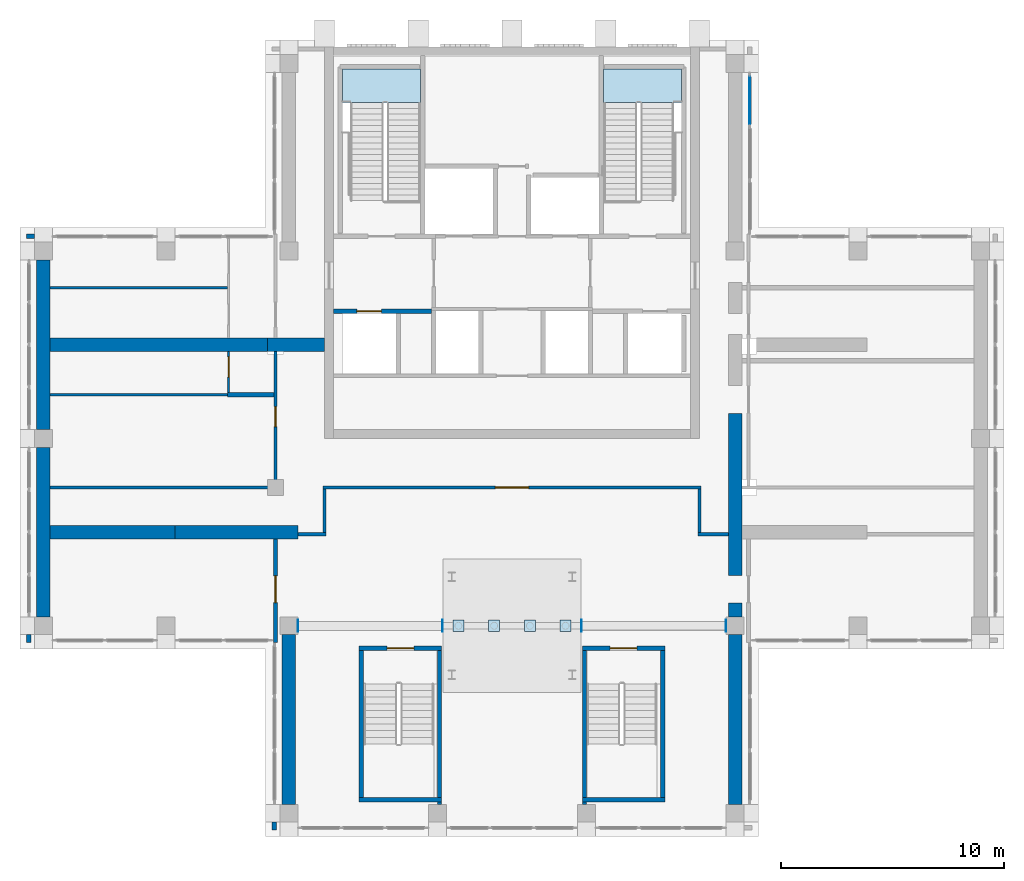
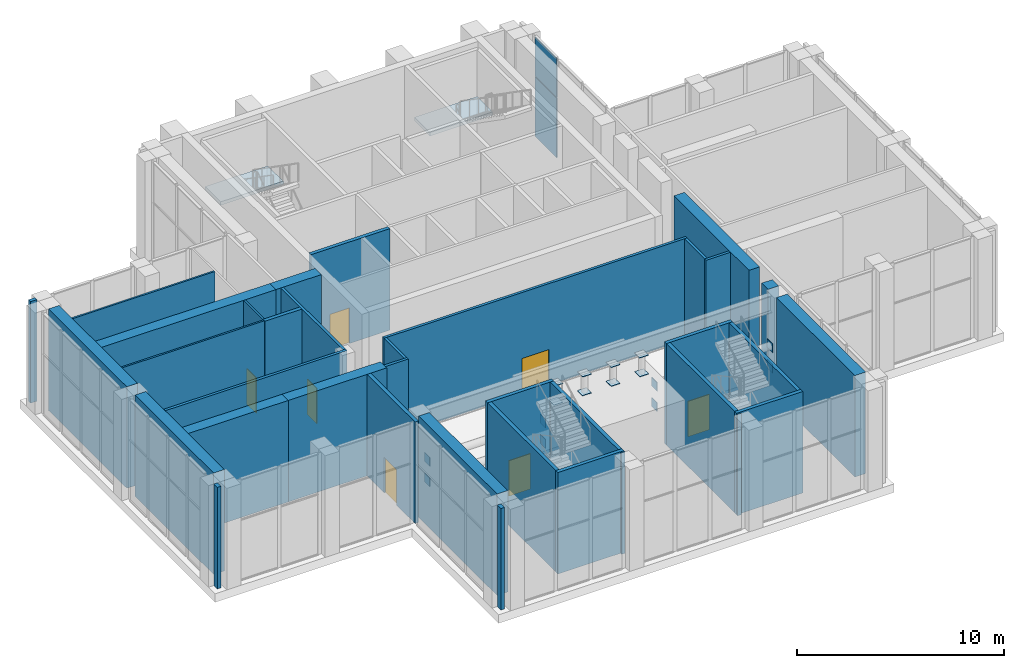
# One storey, part 9 of 14: 34 walls, 18 plates, 7 doors, 2 slabs, 7 openings, 3 elements without a shape of their own.
"""IFC4 building model written with IfcOpenShell, lengths in metres."""

from ifc_helpers import new_model, si_unit, direction, frame, frame_2d, origin, origin_2d, place, context, subcontext, project, spatial, polyline, rectangle, outline, extrude, material, layer, layer_set, type_object, element, fill, aggregate, save


model = new_model("IFC4")

# Units and contexts
model_context = context("Model", 3, precision=1e-05, world=origin(), true_north=direction((0.0, 1.0)))
body_context = subcontext(model_context, "Body", "Model", "MODEL_VIEW")
ifc_project = project(units=[si_unit("LENGTHUNIT", "METRE"), si_unit("AREAUNIT", "SQUARE_METRE"), si_unit("VOLUMEUNIT", "CUBIC_METRE"), si_unit("PLANEANGLEUNIT", "RADIAN"), si_unit("MASSUNIT", "GRAM", prefix="KILO")], contexts=[model_context])

# Site, building, storey
site_placement = place(None, origin())
site = spatial("IfcSite", under=ifc_project, at=site_placement, CompositionType="ELEMENT")
building_placement = place(site_placement, origin())
building = spatial("IfcBuilding", under=site, at=building_placement, Name="Vermilion Ogive Tower", CompositionType="ELEMENT")
storey_placement = place(building_placement, frame((0.0, 0.0, 278.35009765625)))
storey = spatial("IfcBuildingStorey", under=building, at=storey_placement, Name="L73", CompositionType="ELEMENT", Elevation=278.35009765625)

# Curtain wall, plates
ifc_material_1 = material(Name="Laminated solar-control glazing in aluminium frame", Category="aluminium")
curtain_wall_type = type_object("IfcCurtainWallType", Name="Curtain wall CW4", PredefinedType="NOTDEFINED", material=ifc_material_1)
curtain_wall_placement = place(storey_placement, origin())
curtain_wall = element("IfcCurtainWall", 1, at=curtain_wall_placement, inside=storey, type_object=curtain_wall_type, Name="CW4 glazing X41", PredefinedType="NOTDEFINED")
ifc_material_2 = material(Name="Laminated solar-control glazing in aluminium frame", Category="aluminium")
ifc_layer_1 = layer(ifc_material_2, 0.0400390625)
ifc_layer_set_1 = layer_set([ifc_layer_1], Name="CW4 glazing panel 40")
plate_type_1 = type_object("IfcPlateType", Name="CW4 glazing panel 40", PredefinedType="CURTAIN_PANEL", material=ifc_layer_set_1)
plate_1_placement = place(storey_placement, frame((10.64990234375, 19.341552734375, 0.06005859375), z_axis=(0.0, 0.0, 1.0), x_axis=(0.0, 1.0, 0.0)))
plate_1 = element("IfcPlate", 2, at=plate_1_placement, type_object=plate_type_1, Name="CW4-X41 panel 3.1", PredefinedType="CURTAIN_PANEL", context=body_context, shape_type="SweptSolid", body=[
    extrude(rectangle(XDim=2.11669921875, YDim=0.0400390625, at=origin_2d()), origin(), (0.0, 0.0, 1.0), 3.510009765625),
])
plate_2_placement = place(storey_placement, frame((10.64990234375, 19.341552734375, 3.6298828125), z_axis=(0.0, 0.0, 1.0), x_axis=(0.0, 1.0, 0.0)))
plate_2 = element("IfcPlate", 3, at=plate_2_placement, type_object=plate_type_1, Name="CW4-X41 panel 3.2", PredefinedType="CURTAIN_PANEL", context=body_context, shape_type="SweptSolid", body=[
    extrude(rectangle(XDim=2.11669921875, YDim=0.0400390625, at=origin_2d()), origin(), (0.0, 0.0, 1.0), 2.31005859375),
])
aggregate(curtain_wall, [plate_1, plate_2])

# Plates
ifc_material_3 = material(Name="Steel S355", Category="steel")
ifc_layer_2 = layer(ifc_material_3, 0.030029296875)
ifc_layer_set_2 = layer_set([ifc_layer_2], Name="Connection end plate 30")
plate_type_2 = type_object("IfcPlateType", Name="Connection end plate 30", PredefinedType="USERDEFINED", material=ifc_layer_set_2)
for number, where, z_axis, x_axis, name in (
    (4, (-3.114990234375, -4.199951171875, 1.486572265625), (0.0, 0.0, 1.0), (1.0, 0.0, 0.0), "End plate L73-TMD-D1 end 1"),
    (5, (-9.585205078125, -4.199951171875, 1.486572265625), (0.0, 0.0, 1.0), (1.0, 0.0, 0.0), "End plate L73-TMD-D1 end 2"),
    (6, (-3.114990234375, -4.199951171875, 2.686767578125), (0.0, 0.0, 1.0), (1.0, 0.0, 0.0), "End plate L73-TMD-D2 end 1"),
    (7, (-9.585205078125, -4.199951171875, 2.686767578125), (0.0, 0.0, 1.0), (1.0, 0.0, 0.0), "End plate L73-TMD-D2 end 2"),
    (8, (3.114990234375, -4.199951171875, 1.486572265625), (0.0, 0.0, 1.0), (1.0, 0.0, 0.0), "End plate L73-TMD-D3 end 1"),
    (9, (9.585205078125, -4.199951171875, 1.486572265625), (0.0, 0.0, 1.0), (1.0, 0.0, 0.0), "End plate L73-TMD-D3 end 2"),
    (10, (3.114990234375, -4.199951171875, 2.686767578125), (0.0, 0.0, 1.0), (1.0, 0.0, 0.0), "End plate L73-TMD-D4 end 1"),
    (11, (9.585205078125, -4.199951171875, 2.686767578125), (0.0, 0.0, 1.0), (1.0, 0.0, 0.0), "End plate L73-TMD-D4 end 2"),
):
    element("IfcPlate", number, at=place(storey_placement, frame(where, z_axis=z_axis, x_axis=x_axis)), inside=storey, type_object=plate_type_2, Name=name, ObjectType="END PLATE", PredefinedType="USERDEFINED", context=body_context, shape_type="SweptSolid", body=[
        extrude(rectangle(XDim=0.030029296875, YDim=0.5263671875, at=origin_2d()), origin(), (0.0, 0.0, 1.0), 0.5263671875),
    ])

# Stair, slab
ifc_material_4 = material(Name="Concrete B40", Category="concrete")
stair_type = type_object("IfcStairType", Name="Exit stair 1500", PredefinedType="HALF_TURN_STAIR", material=ifc_material_4)
stair_1_placement = place(storey_placement, origin())
stair_1 = element("IfcStair", 12, at=stair_1_placement, inside=storey, type_object=stair_type, Name="L73 Exit Stair ST1", PredefinedType="HALF_TURN_STAIR")
ifc_material_5 = material(Name="Concrete B40", Category="concrete")
ifc_layer_3 = layer(ifc_material_5, 0.199951171875)
ifc_layer_set_3 = layer_set([ifc_layer_3], Name="Stair landing 200")
slab_type = type_object("IfcSlabType", Name="Stair landing 200", PredefinedType="LANDING", material=ifc_layer_set_3)
slab_1_placement = place(storey_placement, frame((0.0, 0.0, 3.0498046875)))
slab_1 = element("IfcSlab", 13, at=slab_1_placement, type_object=slab_type, Name="ST1 landing 1", PredefinedType="LANDING", context=body_context, shape_type="SweptSolid", body=[
    extrude(outline(polyline([(-7.60009765625, 19.25), (-7.25, 19.25), (-7.25, 19.248046875), (-5.75, 19.248046875), (-5.75, 19.25), (-5.60009765625, 19.25), (-5.60009765625, 19.248046875), (-4.10009765625, 19.248046875), (-4.10009765625, 20.75), (-7.60009765625, 20.75), (-7.60009765625, 19.25)])), origin(), (0.0, 0.0, 1.0), 0.2001953125),
])
aggregate(stair_1, [slab_1])

stair_2_placement = place(storey_placement, origin())
stair_2 = element("IfcStair", 14, at=stair_2_placement, inside=storey, type_object=stair_type, Name="L73 Exit Stair ST2", PredefinedType="HALF_TURN_STAIR")
slab_2_placement = place(storey_placement, frame((0.0, 0.0, 3.0498046875)))
slab_2 = element("IfcSlab", 15, at=slab_2_placement, type_object=slab_type, Name="ST2 landing 1", PredefinedType="LANDING", context=body_context, shape_type="SweptSolid", body=[
    extrude(outline(polyline([(5.60009765625, 19.25), (5.75, 19.25), (5.75, 19.248046875), (7.25, 19.248046875), (7.25, 19.25), (7.60009765625, 19.25), (7.60009765625, 20.75), (4.10009765625, 20.75), (4.10009765625, 19.248046875), (5.60009765625, 19.248046875), (5.60009765625, 19.25)])), origin(), (0.0, 0.0, 1.0), 0.2001953125),
])
aggregate(stair_2, [slab_2])

# Plates
ifc_material_6 = material(Name="Steel S355", Category="steel")
ifc_layer_4 = layer(ifc_material_6, 0.030029296875)
ifc_layer_set_4 = layer_set([ifc_layer_4], Name="Truss gusset plate 30")
plate_type_3 = type_object("IfcPlateType", Name="Truss gusset plate 30", PredefinedType="USERDEFINED", material=ifc_layer_set_4)
for number, where, z_axis, x_axis, name in (
    (16, (-2.39990234375, -4.199951171875, 3.849609375), (0.0, 0.0, 1.0), (1.0, 0.0, 0.0), "Gusset plate L73-TMD-H1A"),
    (17, (-2.39990234375, -4.199951171875, 4.9619140625), (0.0, 0.0, 1.0), (1.0, 0.0, 0.0), "Gusset plate L73-TMD-H1B"),
    (18, (-0.800048828125, -4.199951171875, 3.849609375), (0.0, 0.0, 1.0), (1.0, 0.0, 0.0), "Gusset plate L73-TMD-H2A"),
    (19, (-0.800048828125, -4.199951171875, 4.9619140625), (0.0, 0.0, 1.0), (1.0, 0.0, 0.0), "Gusset plate L73-TMD-H2B"),
    (20, (0.800048828125, -4.199951171875, 3.849609375), (0.0, 0.0, 1.0), (1.0, 0.0, 0.0), "Gusset plate L73-TMD-H3A"),
    (21, (0.800048828125, -4.199951171875, 4.9619140625), (0.0, 0.0, 1.0), (1.0, 0.0, 0.0), "Gusset plate L73-TMD-H3B"),
    (22, (2.39990234375, -4.199951171875, 3.849609375), (0.0, 0.0, 1.0), (1.0, 0.0, 0.0), "Gusset plate L73-TMD-H4A"),
    (23, (2.39990234375, -4.199951171875, 4.9619140625), (0.0, 0.0, 1.0), (1.0, 0.0, 0.0), "Gusset plate L73-TMD-H4B"),
):
    element("IfcPlate", number, at=place(storey_placement, frame(where, z_axis=z_axis, x_axis=x_axis)), inside=storey, type_object=plate_type_3, Name=name, ObjectType="GUSSET PLATE", PredefinedType="USERDEFINED", context=body_context, shape_type="SweptSolid", body=[
        extrude(rectangle(XDim=0.5, YDim=0.5, at=origin_2d()), origin(), (0.0, 0.0, 1.0), 0.030029296875),
    ])

# Walls
ifc_material_7 = material(Name="Gypsum board partition on steel studs", Category="steel")
ifc_layer_5 = layer(ifc_material_7, 0.10009765625)
ifc_layer_set_5 = layer_set([ifc_layer_5], Name="Partition 100 bath")
wall_type_1 = type_object("IfcWallType", Name="Partition 100 bath", PredefinedType="PARTITIONING", material=ifc_layer_set_5)
wall_1_placement = place(storey_placement, frame((-20.698974609375, 6.14990234375, 0.0), z_axis=(0.0, 0.0, 1.0), x_axis=(1.0, 0.0, 0.0)))
element("IfcWall", 24, at=wall_1_placement, inside=storey, type_object=wall_type_1, Name="L73-FS-W-W006", PredefinedType="PARTITIONING", context=body_context, shape_type="SweptSolid", body=[
    extrude(rectangle(XDim=8.049072265625, YDim=0.10009765625, at=frame_2d((4.0244140625, 0.0))), origin(), (0.0, 0.0, 1.0), 6.0),
])
wall_2_placement = place(storey_placement, frame((-20.698974609375, 10.949951171875, 0.0), z_axis=(0.0, 0.0, 1.0), x_axis=(1.0, 0.0, 0.0)))
element("IfcWall", 25, at=wall_2_placement, inside=storey, type_object=wall_type_1, Name="L73-FS-W-W010", PredefinedType="PARTITIONING", context=body_context, shape_type="SweptSolid", body=[
    extrude(rectangle(XDim=7.948974609375, YDim=0.10009765625, at=frame_2d((3.974609375, 0.0))), origin(), (0.0, 0.0, 1.0), 6.0),
])

# Wall, opening, door
wall_3_placement = place(storey_placement, frame((-12.699951171875, 6.25, 0.0), z_axis=(0.0, 0.0, 1.0), x_axis=(0.0, 1.0, 0.0)))
wall_3 = element("IfcWall", 26, at=wall_3_placement, inside=storey, type_object=wall_type_1, Name="L73-FS-W-W012a", PredefinedType="PARTITIONING", context=body_context, shape_type="SweptSolid", body=[
    extrude(rectangle(XDim=1.84912109375, YDim=0.10009765625, at=frame_2d((0.924560546875, 0.0))), origin(), (0.0, 0.0, 1.0), 6.0),
])
opening_1_placement = place(wall_3_placement, frame((0.699951171875, 0.0, 0.0)))
opening_1 = element("IfcOpeningElement", 27, at=opening_1_placement, cuts=wall_3, Name="Opening L73S005", PredefinedType="OPENING", context=body_context, shape_type="SweptSolid", body=[
    extrude(rectangle(XDim=0.89990234375, YDim=2.10009765625, at=frame_2d((0.449951171875, 1.050048828125))), frame((0.0, 0.06005859375, 0.0), z_axis=(0.0, -1.0, 0.0), x_axis=(1.0, 0.0, 0.0)), (0.0, 0.0, 1.0), 0.1201171875),
])
ifc_material_8 = material(Name="Timber door leaf", Category="wood")
door_type_1 = type_object("IfcDoorType", Name="Room door 900 x 2100 FD30", OperationType="SINGLE_SWING_LEFT", PredefinedType="DOOR", material=ifc_material_8)
door_1_placement = place(opening_1_placement, origin())
door_1 = element("IfcDoor", 28, at=door_1_placement, inside=storey, type_object=door_type_1, Name="L73-FS-D-D005", OperationType="SINGLE_SWING_LEFT", OverallHeight=2.10009765625, OverallWidth=0.89990234375, PredefinedType="DOOR", context=body_context, shape_type="SweptSolid", body=[
    extrude(rectangle(XDim=0.89990234375, YDim=2.10009765625, at=frame_2d((0.449951171875, 1.050048828125))), frame((0.0, 0.02490234375, 0.0), z_axis=(0.0, -1.0, 0.0), x_axis=(1.0, 0.0, 0.0)), (0.0, 0.0, 1.0), 0.050048828125),
])
fill(opening_1, door_1)

# Walls
ifc_material_9 = material(Name="Gypsum board partition on steel studs", Category="steel")
ifc_layer_6 = layer(ifc_material_9, 0.14990234375)
ifc_layer_set_6 = layer_set([ifc_layer_6], Name="Partition 150 corridor")
wall_type_2 = type_object("IfcWallType", Name="Partition 150 corridor", PredefinedType="PARTITIONING", material=ifc_layer_set_6)
wall_4_placement = place(storey_placement, frame((-9.59912109375, -0.10009765625, 0.0), z_axis=(0.0, 0.0, 1.0), x_axis=(1.0, 0.0, 0.0)))
element("IfcWall", 29, at=wall_4_placement, inside=storey, type_object=wall_type_2, Name="L73-FS-W-W001", PredefinedType="PARTITIONING", context=body_context, shape_type="SweptSolid", body=[
    extrude(rectangle(XDim=1.274169921875, YDim=0.14990234375, at=frame_2d((0.63720703125, 0.0))), origin(), (0.0, 0.0, 1.0), 6.0),
])
wall_5_placement = place(storey_placement, frame((8.324951171875, -0.10009765625, 0.0), z_axis=(0.0, 0.0, 1.0), x_axis=(1.0, 0.0, 0.0)))
element("IfcWall", 30, at=wall_5_placement, inside=storey, type_object=wall_type_2, Name="L73-FS-W-W002a", PredefinedType="PARTITIONING", context=body_context, shape_type="SweptSolid", body=[
    extrude(rectangle(XDim=1.3740234375, YDim=0.14990234375, at=frame_2d((0.68701171875, 0.0))), origin(), (0.0, 0.0, 1.0), 6.0),
])
wall_6_placement = place(storey_placement, frame((-20.698974609375, 2.0, 0.0), z_axis=(0.0, 0.0, 1.0), x_axis=(1.0, 0.0, 0.0)))
element("IfcWall", 31, at=wall_6_placement, inside=storey, type_object=wall_type_2, Name="L73-FS-W-W003", PredefinedType="PARTITIONING", context=body_context, shape_type="SweptSolid", body=[
    extrude(rectangle(XDim=10.174072265625, YDim=0.14990234375, at=frame_2d((5.0869140625, 0.0))), origin(), (0.0, 0.0, 1.0), 6.0),
])

# Wall, opening, door
wall_7_placement = place(storey_placement, frame((-8.47509765625, 2.0, 0.0), z_axis=(0.0, 0.0, 1.0), x_axis=(1.0, 0.0, 0.0)))
wall_7 = element("IfcWall", 32, at=wall_7_placement, inside=storey, type_object=wall_type_2, Name="L73-FS-W-W004", PredefinedType="PARTITIONING", context=body_context, shape_type="SweptSolid", body=[
    extrude(rectangle(XDim=16.9501953125, YDim=0.14990234375, at=frame_2d((8.47509765625, 0.0))), origin(), (0.0, 0.0, 1.0), 6.0),
])
opening_2_placement = place(wall_7_placement, frame((7.72509765625, 0.0, 0.0)))
opening_2 = element("IfcOpeningElement", 33, at=opening_2_placement, cuts=wall_7, Name="Opening L73S001", PredefinedType="OPENING", context=body_context, shape_type="SweptSolid", body=[
    extrude(rectangle(XDim=1.5, YDim=2.10009765625, at=frame_2d((0.75, 1.050048828125))), frame((0.0, 0.0849609375, 0.0), z_axis=(0.0, -1.0, 0.0), x_axis=(1.0, 0.0, 0.0)), (0.0, 0.0, 1.0), 0.169921875),
])
ifc_material_10 = material(Name="Timber door leaf", Category="wood")
door_type_2 = type_object("IfcDoorType", Name="Room door 1500 x 2100 FD30", OperationType="DOUBLE_DOOR_SINGLE_SWING", PredefinedType="DOOR", material=ifc_material_10)
door_2_placement = place(opening_2_placement, origin())
door_2 = element("IfcDoor", 34, at=door_2_placement, inside=storey, type_object=door_type_2, Name="L73-FS-D-D001", OperationType="DOUBLE_DOOR_SINGLE_SWING", OverallHeight=2.10009765625, OverallWidth=1.5, PredefinedType="DOOR", context=body_context, shape_type="SweptSolid", body=[
    extrude(rectangle(XDim=1.5, YDim=2.10009765625, at=frame_2d((0.75, 1.050048828125))), frame((0.0, 0.02490234375, 0.0), z_axis=(0.0, -1.0, 0.0), x_axis=(1.0, 0.0, 0.0)), (0.0, 0.0, 1.0), 0.050048828125),
])
fill(opening_2, door_2)

wall_8_placement = place(storey_placement, frame((-10.60009765625, 2.074951171875, 0.0), z_axis=(0.0, 0.0, 1.0), x_axis=(0.0, 1.0, 0.0)))
wall_8 = element("IfcWall", 35, at=wall_8_placement, inside=storey, type_object=wall_type_2, Name="L73-FS-W-W014a", PredefinedType="PARTITIONING", context=body_context, shape_type="SweptSolid", body=[
    extrude(rectangle(XDim=6.024169921875, YDim=0.14990234375, at=frame_2d((3.01220703125, 0.0))), origin(), (0.0, 0.0, 1.0), 6.0),
])
opening_3_placement = place(wall_8_placement, frame((2.650146484375, 0.0, 0.0)))
opening_3 = element("IfcOpeningElement", 36, at=opening_3_placement, cuts=wall_8, Name="Opening L73S008", PredefinedType="OPENING", context=body_context, shape_type="SweptSolid", body=[
    extrude(rectangle(XDim=0.89990234375, YDim=2.10009765625, at=frame_2d((0.449951171875, 1.050048828125))), frame((0.0, 0.0849609375, 0.0), z_axis=(0.0, -1.0, 0.0), x_axis=(1.0, 0.0, 0.0)), (0.0, 0.0, 1.0), 0.169921875),
])
door_3_placement = place(opening_3_placement, origin())
door_3 = element("IfcDoor", 37, at=door_3_placement, inside=storey, type_object=door_type_1, Name="L73-FS-D-D008", OperationType="SINGLE_SWING_RIGHT", OverallHeight=2.10009765625, OverallWidth=0.89990234375, PredefinedType="DOOR", context=body_context, shape_type="SweptSolid", body=[
    extrude(rectangle(XDim=0.89990234375, YDim=2.10009765625, at=frame_2d((0.449951171875, 1.050048828125))), frame((0.0, 0.02490234375, 0.0), z_axis=(0.0, -1.0, 0.0), x_axis=(1.0, 0.0, 0.0)), (0.0, 0.0, 1.0), 0.050048828125),
])
fill(opening_3, door_3)

# Walls
for number, where, z_axis, x_axis, name in (
    (38, (-8.39990234375, -0.02490234375, 0.0), (0.0, 0.0, 1.0), (0.0, 1.0, 0.0), "L73-FS-W-W015"),
    (39, (8.39990234375, -0.02490234375, 0.0), (0.0, 0.0, 1.0), (0.0, 1.0, 0.0), "L73-FS-W-W016"),
):
    element("IfcWall", number, at=place(storey_placement, frame(where, z_axis=z_axis, x_axis=x_axis)), inside=storey, type_object=wall_type_2, Name=name, PredefinedType="PARTITIONING", context=body_context, shape_type="SweptSolid", body=[
        extrude(rectangle(XDim=1.949951171875, YDim=0.14990234375, at=frame_2d((0.97509765625, 0.0))), origin(), (0.0, 0.0, 1.0), 6.0),
    ])
ifc_material_11 = material(Name="Gypsum board partition on steel studs", Category="steel")
ifc_layer_7 = layer(ifc_material_11, 0.199951171875)
ifc_layer_set_7 = layer_set([ifc_layer_7], Name="Partition 200 party")
wall_type_3 = type_object("IfcWallType", Name="Partition 200 party", PredefinedType="PARTITIONING", material=ifc_layer_set_7)
wall_9_placement = place(storey_placement, frame((-12.75, 6.14990234375, 0.0), z_axis=(0.0, 0.0, 1.0), x_axis=(1.0, 0.0, 0.0)))
element("IfcWall", 40, at=wall_9_placement, inside=storey, type_object=wall_type_3, Name="L73-FS-W-W007", PredefinedType="PARTITIONING", context=body_context, shape_type="SweptSolid", body=[
    extrude(rectangle(XDim=2.074951171875, YDim=0.199951171875, at=frame_2d((1.03759765625, 0.0))), origin(), (0.0, 0.0, 1.0), 6.0),
])

# Wall, opening, door
wall_10_placement = place(storey_placement, frame((-10.60009765625, -4.949951171875, 0.0), z_axis=(0.0, 0.0, 1.0), x_axis=(0.0, 1.0, 0.0)))
wall_10 = element("IfcWall", 41, at=wall_10_placement, inside=storey, type_object=wall_type_3, Name="L73-FS-W-W013", PredefinedType="PARTITIONING", context=body_context, shape_type="SweptSolid", body=[
    extrude(rectangle(XDim=4.64892578125, YDim=0.199951171875, at=frame_2d((2.324462890625, 0.0))), origin(), (0.0, 0.0, 1.0), 6.0),
])
opening_4_placement = place(wall_10_placement, frame((1.787353515625, 0.0, 0.0)))
opening_4 = element("IfcOpeningElement", 42, at=opening_4_placement, cuts=wall_10, Name="Opening L73S002", PredefinedType="OPENING", context=body_context, shape_type="SweptSolid", body=[
    extrude(rectangle(XDim=1.199951171875, YDim=2.10009765625, at=frame_2d((0.60009765625, 1.050048828125))), frame((0.0, 0.10986328125, 0.0), z_axis=(0.0, -1.0, 0.0), x_axis=(1.0, 0.0, 0.0)), (0.0, 0.0, 1.0), 0.219970703125),
])
ifc_material_12 = material(Name="Timber door leaf", Category="wood")
door_type_3 = type_object("IfcDoorType", Name="Room door 1200 x 2100 FD30", OperationType="SINGLE_SWING_LEFT", PredefinedType="DOOR", material=ifc_material_12)
door_4_placement = place(opening_4_placement, origin())
door_4 = element("IfcDoor", 43, at=door_4_placement, inside=storey, type_object=door_type_3, Name="L73-FS-D-D002", OperationType="SINGLE_SWING_RIGHT", OverallHeight=2.10009765625, OverallWidth=1.199951171875, PredefinedType="DOOR", context=body_context, shape_type="SweptSolid", body=[
    extrude(rectangle(XDim=1.199951171875, YDim=2.10009765625, at=frame_2d((0.60009765625, 1.050048828125))), frame((0.0, 0.02490234375, 0.0), z_axis=(0.0, -1.0, 0.0), x_axis=(1.0, 0.0, 0.0)), (0.0, 0.0, 1.0), 0.050048828125),
])
fill(opening_4, door_4)

wall_11_placement = place(storey_placement, frame((-7.9990234375, 9.89990234375, 0.0), z_axis=(0.0, 0.0, 1.0), x_axis=(1.0, 0.0, 0.0)))
wall_11 = element("IfcWall", 44, at=wall_11_placement, inside=storey, type_object=wall_type_3, Name="L73-CK-W-W002", PredefinedType="PARTITIONING", context=body_context, shape_type="SweptSolid", body=[
    extrude(rectangle(XDim=4.39892578125, YDim=0.199951171875, at=frame_2d((2.199462890625, 0.0))), origin(), (0.0, 0.0, 1.0), 6.0),
])
opening_5_placement = place(wall_11_placement, frame((1.049072265625, 0.0, 0.0)))
opening_5 = element("IfcOpeningElement", 45, at=opening_5_placement, cuts=wall_11, Name="Opening DAE037", PredefinedType="OPENING", context=body_context, shape_type="SweptSolid", body=[
    extrude(rectangle(XDim=1.10009765625, YDim=2.10009765625, at=frame_2d((0.550048828125, 1.050048828125))), frame((0.0, 0.10986328125, 0.0), z_axis=(0.0, -1.0, 0.0), x_axis=(1.0, 0.0, 0.0)), (0.0, 0.0, 1.0), 0.219970703125),
])
ifc_material_13 = material(Name="Stainless steel", Category="steel")
door_type_4 = type_object("IfcDoorType", Name="Lift landing door 1100 x 2100", OperationType="SLIDING_TO_LEFT", PredefinedType="DOOR", material=ifc_material_13)
door_5_placement = place(opening_5_placement, origin())
door_5 = element("IfcDoor", 46, at=door_5_placement, inside=storey, type_object=door_type_4, Name="L73-CK-D-D002", OperationType="SLIDING_TO_LEFT", OverallHeight=2.10009765625, OverallWidth=1.10009765625, PredefinedType="DOOR", context=body_context, shape_type="SweptSolid", body=[
    extrude(rectangle(XDim=1.10009765625, YDim=2.10009765625, at=frame_2d((0.550048828125, 1.050048828125))), frame((0.0, 0.02490234375, 0.0), z_axis=(0.0, -1.0, 0.0), x_axis=(1.0, 0.0, 0.0)), (0.0, 0.0, 1.0), 0.050048828125),
])
fill(opening_5, door_5)

# Wall
ifc_material_14 = material(Name="Concrete B60", Category="concrete")
ifc_layer_8 = layer(ifc_material_14, 0.199951171875)
ifc_layer_set_8 = layer_set([ifc_layer_8], Name="Stair shaft wall 200 Concrete B60")
wall_type_4 = type_object("IfcWallType", Name="Stair shaft wall 200 Concrete B60", PredefinedType="SOLIDWALL", material=ifc_layer_set_8)
wall_12_placement = place(storey_placement, frame((3.14990234375, -12.0, 0.0), z_axis=(0.0, 0.0, 1.0), x_axis=(1.0, 0.0, 0.0)))
element("IfcWall", 47, at=wall_12_placement, inside=storey, type_object=wall_type_4, Name="L73-SW-ST6-S1", PredefinedType="SOLIDWALL", context=body_context, shape_type="SweptSolid", body=[
    extrude(rectangle(XDim=3.7001953125, YDim=0.199951171875, at=frame_2d((1.85009765625, 0.0))), origin(), (0.0, 0.0, 1.0), 6.0),
])

# Wall, opening, door
wall_13_placement = place(storey_placement, frame((3.14990234375, -5.199951171875, 0.0), z_axis=(0.0, 0.0, 1.0), x_axis=(1.0, 0.0, 0.0)))
wall_13 = element("IfcWall", 48, at=wall_13_placement, inside=storey, type_object=wall_type_4, Name="L73-SW-ST6-N1", PredefinedType="SOLIDWALL", context=body_context, shape_type="SweptSolid", body=[
    extrude(rectangle(XDim=3.7001953125, YDim=0.199951171875, at=frame_2d((1.85009765625, 0.0))), origin(), (0.0, 0.0, 1.0), 6.0),
])
opening_6_placement = place(wall_13_placement, frame((1.25, 0.0, 0.0)))
opening_6 = element("IfcOpeningElement", 49, at=opening_6_placement, cuts=wall_13, Name="Opening L73-SD6", PredefinedType="OPENING", context=body_context, shape_type="SweptSolid", body=[
    extrude(rectangle(XDim=1.199951171875, YDim=2.10009765625, at=frame_2d((0.60009765625, 1.050048828125))), frame((0.0, 0.10986328125, 0.0), z_axis=(0.0, -1.0, 0.0), x_axis=(1.0, 0.0, 0.0)), (0.0, 0.0, 1.0), 0.219970703125),
])
ifc_material_15 = material(Name="Timber door leaf", Category="wood")
door_type_5 = type_object("IfcDoorType", Name="Stair door 1200 x 2100 FD60S", OperationType="SINGLE_SWING_LEFT", PredefinedType="DOOR", material=ifc_material_15)
door_6_placement = place(opening_6_placement, origin())
door_6 = element("IfcDoor", 50, at=door_6_placement, inside=storey, type_object=door_type_5, Name="Stair door ST6", OperationType="SINGLE_SWING_LEFT", OverallHeight=2.10009765625, OverallWidth=1.199951171875, PredefinedType="DOOR", context=body_context, shape_type="SweptSolid", body=[
    extrude(rectangle(XDim=1.199951171875, YDim=2.10009765625, at=frame_2d((0.60009765625, 1.050048828125))), frame((0.0, 0.02490234375, 0.0), z_axis=(0.0, -1.0, 0.0), x_axis=(1.0, 0.0, 0.0)), (0.0, 0.0, 1.0), 0.050048828125),
])
fill(opening_6, door_6)

# Walls
wall_14_placement = place(storey_placement, frame((3.25, -12.199951171875, 0.0), z_axis=(0.0, 0.0, 1.0), x_axis=(0.0, 1.0, 0.0)))
element("IfcWall", 51, at=wall_14_placement, inside=storey, type_object=wall_type_4, Name="L73-SW-ST6-W1", PredefinedType="SOLIDWALL", context=body_context, shape_type="SweptSolid", body=[
    extrude(rectangle(XDim=6.89990234375, YDim=0.199951171875, at=frame_2d((3.449951171875, 0.0))), origin(), (0.0, 0.0, 1.0), 6.0),
])
wall_15_placement = place(storey_placement, frame((6.75, -11.89990234375, 0.0), z_axis=(0.0, 0.0, 1.0), x_axis=(0.0, 1.0, 0.0)))
element("IfcWall", 52, at=wall_15_placement, inside=storey, type_object=wall_type_4, Name="L73-SW-ST6-E1", PredefinedType="SOLIDWALL", context=body_context, shape_type="SweptSolid", body=[
    extrude(rectangle(XDim=6.599853515625, YDim=0.199951171875, at=frame_2d((3.2998046875, 0.0))), origin(), (0.0, 0.0, 1.0), 6.0),
])
wall_16_placement = place(storey_placement, frame((-6.85009765625, -12.0, 0.0), z_axis=(0.0, 0.0, 1.0), x_axis=(1.0, 0.0, 0.0)))
element("IfcWall", 53, at=wall_16_placement, inside=storey, type_object=wall_type_4, Name="L73-SW-ST7-S1", PredefinedType="SOLIDWALL", context=body_context, shape_type="SweptSolid", body=[
    extrude(rectangle(XDim=3.7001953125, YDim=0.199951171875, at=frame_2d((1.85009765625, 0.0))), origin(), (0.0, 0.0, 1.0), 6.0),
])

# Wall, opening, door
wall_17_placement = place(storey_placement, frame((-6.85009765625, -5.199951171875, 0.0), z_axis=(0.0, 0.0, 1.0), x_axis=(1.0, 0.0, 0.0)))
wall_17 = element("IfcWall", 54, at=wall_17_placement, inside=storey, type_object=wall_type_4, Name="L73-SW-ST7-N1", PredefinedType="SOLIDWALL", context=body_context, shape_type="SweptSolid", body=[
    extrude(rectangle(XDim=3.7001953125, YDim=0.199951171875, at=frame_2d((1.85009765625, 0.0))), origin(), (0.0, 0.0, 1.0), 6.0),
])
opening_7_placement = place(wall_17_placement, frame((1.25, 0.0, 0.0)))
opening_7 = element("IfcOpeningElement", 55, at=opening_7_placement, cuts=wall_17, Name="Opening L73-SD7", PredefinedType="OPENING", context=body_context, shape_type="SweptSolid", body=[
    extrude(rectangle(XDim=1.199951171875, YDim=2.10009765625, at=frame_2d((0.60009765625, 1.050048828125))), frame((0.0, 0.10986328125, 0.0), z_axis=(0.0, -1.0, 0.0), x_axis=(1.0, 0.0, 0.0)), (0.0, 0.0, 1.0), 0.219970703125),
])
door_7_placement = place(opening_7_placement, origin())
door_7 = element("IfcDoor", 56, at=door_7_placement, inside=storey, type_object=door_type_5, Name="Stair door ST7", OperationType="SINGLE_SWING_LEFT", OverallHeight=2.10009765625, OverallWidth=1.199951171875, PredefinedType="DOOR", context=body_context, shape_type="SweptSolid", body=[
    extrude(rectangle(XDim=1.199951171875, YDim=2.10009765625, at=frame_2d((0.60009765625, 1.050048828125))), frame((0.0, 0.02490234375, 0.0), z_axis=(0.0, -1.0, 0.0), x_axis=(1.0, 0.0, 0.0)), (0.0, 0.0, 1.0), 0.050048828125),
])
fill(opening_7, door_7)

# Walls
wall_18_placement = place(storey_placement, frame((-6.75, -11.89990234375, 0.0), z_axis=(0.0, 0.0, 1.0), x_axis=(0.0, 1.0, 0.0)))
element("IfcWall", 57, at=wall_18_placement, inside=storey, type_object=wall_type_4, Name="L73-SW-ST7-W1", PredefinedType="SOLIDWALL", context=body_context, shape_type="SweptSolid", body=[
    extrude(rectangle(XDim=6.599853515625, YDim=0.199951171875, at=frame_2d((3.2998046875, 0.0))), origin(), (0.0, 0.0, 1.0), 6.0),
])
wall_19_placement = place(storey_placement, frame((-3.25, -12.199951171875, 0.0), z_axis=(0.0, 0.0, 1.0), x_axis=(0.0, 1.0, 0.0)))
element("IfcWall", 58, at=wall_19_placement, inside=storey, type_object=wall_type_4, Name="L73-SW-ST7-E1", PredefinedType="SOLIDWALL", context=body_context, shape_type="SweptSolid", body=[
    extrude(rectangle(XDim=6.89990234375, YDim=0.199951171875, at=frame_2d((3.449951171875, 0.0))), origin(), (0.0, 0.0, 1.0), 6.0),
])
ifc_material_16 = material(Name="Concrete B60", Category="concrete")
ifc_layer_9 = layer(ifc_material_16, 0.60009765625)
ifc_layer_set_9 = layer_set([ifc_layer_9], Name="Transfer wall 600 B60")
wall_type_5 = type_object("IfcWallType", Name="Transfer wall 600 B60", PredefinedType="SHEAR", material=ifc_layer_set_9)
for number, where, z_axis, x_axis, name in (
    (59, (-10.0, -12.199951171875, 0.0), (0.0, 0.0, 1.0), (0.0, 1.0, 0.0), "L73-TW-1"),
    (60, (10.0, -12.199951171875, 0.0), (0.0, 0.0, 1.0), (0.0, 1.0, 0.0), "L73-TW-2"),
):
    element("IfcWall", number, at=place(storey_placement, frame(where, z_axis=z_axis, x_axis=x_axis)), inside=storey, type_object=wall_type_5, Name=name, PredefinedType="SHEAR", context=body_context, shape_type="SweptSolid", body=[
        extrude(rectangle(XDim=7.599853515625, YDim=0.60009765625, at=frame_2d((3.7998046875, 0.0))), origin(), (0.0, 0.0, 1.0), 6.0),
    ])
wall_20_placement = place(storey_placement, frame((-21.0, -3.800048828125, 0.0), z_axis=(0.0, 0.0, 1.0), x_axis=(0.0, 1.0, 0.0)))
element("IfcWall", 61, at=wall_20_placement, inside=storey, type_object=wall_type_5, Name="L73-TW-3", PredefinedType="SHEAR", context=body_context, shape_type="SweptSolid", body=[
    extrude(rectangle(XDim=7.60009765625, YDim=0.60009765625, at=frame_2d((3.800048828125, 0.0))), origin(), (0.0, 0.0, 1.0), 6.0),
])
wall_21_placement = place(storey_placement, frame((-20.699951171875, 0.0, 0.0), z_axis=(0.0, 0.0, 1.0), x_axis=(1.0, 0.0, 0.0)))
element("IfcWall", 62, at=wall_21_placement, inside=storey, type_object=wall_type_5, Name="L73-TW-4", PredefinedType="SHEAR", context=body_context, shape_type="SweptSolid", body=[
    extrude(rectangle(XDim=5.599853515625, YDim=0.60009765625, at=frame_2d((2.7998046875, 0.0))), origin(), (0.0, 0.0, 1.0), 6.0),
])
wall_22_placement = place(storey_placement, frame((-15.10009765625, 0.0, 0.0), z_axis=(0.0, 0.0, 1.0), x_axis=(1.0, 0.0, 0.0)))
element("IfcWall", 63, at=wall_22_placement, inside=storey, type_object=wall_type_5, Name="L73-TW-5", PredefinedType="SHEAR", context=body_context, shape_type="SweptSolid", body=[
    extrude(rectangle(XDim=5.5, YDim=0.60009765625, at=frame_2d((2.75, 0.0))), origin(), (0.0, 0.0, 1.0), 6.0),
])
wall_23_placement = place(storey_placement, frame((-21.0, 4.60009765625, 0.0), z_axis=(0.0, 0.0, 1.0), x_axis=(0.0, 1.0, 0.0)))
element("IfcWall", 64, at=wall_23_placement, inside=storey, type_object=wall_type_5, Name="L73-TW-9", PredefinedType="SHEAR", context=body_context, shape_type="SweptSolid", body=[
    extrude(rectangle(XDim=7.599853515625, YDim=0.60009765625, at=frame_2d((3.7998046875, 0.0))), origin(), (0.0, 0.0, 1.0), 6.0),
])
wall_24_placement = place(storey_placement, frame((-20.699951171875, 8.39990234375, 0.0), z_axis=(0.0, 0.0, 1.0), x_axis=(1.0, 0.0, 0.0)))
element("IfcWall", 65, at=wall_24_placement, inside=storey, type_object=wall_type_5, Name="L73-TW-10", PredefinedType="SHEAR", context=body_context, shape_type="SweptSolid", body=[
    extrude(rectangle(XDim=9.75, YDim=0.60009765625, at=frame_2d((4.875, 0.0))), origin(), (0.0, 0.0, 1.0), 6.0),
])
wall_25_placement = place(storey_placement, frame((-10.949951171875, 8.39990234375, 0.0), z_axis=(0.0, 0.0, 1.0), x_axis=(1.0, 0.0, 0.0)))
element("IfcWall", 66, at=wall_25_placement, inside=storey, type_object=wall_type_5, Name="L73-TW-11", PredefinedType="SHEAR", context=body_context, shape_type="SweptSolid", body=[
    extrude(rectangle(XDim=2.550048828125, YDim=0.60009765625, at=frame_2d((1.27490234375, 0.0))), origin(), (0.0, 0.0, 1.0), 6.0),
])
wall_26_placement = place(storey_placement, frame((10.0, -3.800048828125, 0.0), z_axis=(0.0, 0.0, 1.0), x_axis=(0.0, 1.0, 0.0)))
element("IfcWall", 67, at=wall_26_placement, inside=storey, type_object=wall_type_5, Name="L73-TW-6", PredefinedType="SHEAR", context=body_context, shape_type="SweptSolid", body=[
    extrude(rectangle(XDim=0.617431640625, YDim=0.60009765625, at=frame_2d((0.30859375, 0.0))), origin(), (0.0, 0.0, 1.0), 6.0),
])
wall_27_placement = place(storey_placement, frame((10.0, -1.942626953125, 0.0), z_axis=(0.0, 0.0, 1.0), x_axis=(0.0, 1.0, 0.0)))
element("IfcWall", 68, at=wall_27_placement, inside=storey, type_object=wall_type_5, Name="L73-TW-6x", PredefinedType="SHEAR", context=body_context, shape_type="SweptSolid", body=[
    extrude(rectangle(XDim=7.26416015625, YDim=0.60009765625, at=frame_2d((3.632080078125, 0.0))), origin(), (0.0, 0.0, 1.0), 6.0),
])
ifc_material_17 = material(Name="Aluminium window wall framing", Category="aluminium")
ifc_layer_10 = layer(ifc_material_17, 0.199951171875)
ifc_layer_set_10 = layer_set([ifc_layer_10], Name="Window wall")
wall_type_6 = type_object("IfcWallType", Name="Window wall", PredefinedType="STANDARD", material=ifc_layer_set_10)
wall_28_placement = place(storey_placement, frame((-21.39990234375, 13.25, 0.0), z_axis=(0.0, 0.0, 1.0), x_axis=(-1.0, 0.0, 0.0)))
element("IfcWall", 69, at=wall_28_placement, inside=storey, type_object=wall_type_6, Name="Window wall X63", PredefinedType="STANDARD", context=body_context, shape_type="SweptSolid", body=[
    extrude(rectangle(XDim=0.35009765625, YDim=0.199951171875, at=frame_2d((0.175048828125, 0.0))), origin(), (0.0, 0.0, 1.0), 6.0),
])
wall_29_placement = place(storey_placement, frame((-21.64990234375, -4.60009765625, 0.0), z_axis=(0.0, 0.0, 1.0), x_axis=(0.0, -1.0, 0.0)))
element("IfcWall", 70, at=wall_29_placement, inside=storey, type_object=wall_type_6, Name="Window wall W3", PredefinedType="STANDARD", context=body_context, shape_type="SweptSolid", body=[
    extrude(rectangle(XDim=0.349853515625, YDim=0.199951171875, at=frame_2d((0.1748046875, 0.0))), origin(), (0.0, 0.0, 1.0), 6.0),
])
wall_30_placement = place(storey_placement, frame((-10.64990234375, -13.0, 0.0), z_axis=(0.0, 0.0, 1.0), x_axis=(0.0, -1.0, 0.0)))
element("IfcWall", 71, at=wall_30_placement, inside=storey, type_object=wall_type_6, Name="Window wall X82", PredefinedType="STANDARD", context=body_context, shape_type="SweptSolid", body=[
    extrude(rectangle(XDim=0.35009765625, YDim=0.199951171875, at=frame_2d((0.175048828125, 0.0))), origin(), (0.0, 0.0, 1.0), 6.0),
])

save(model, "model.ifc")
